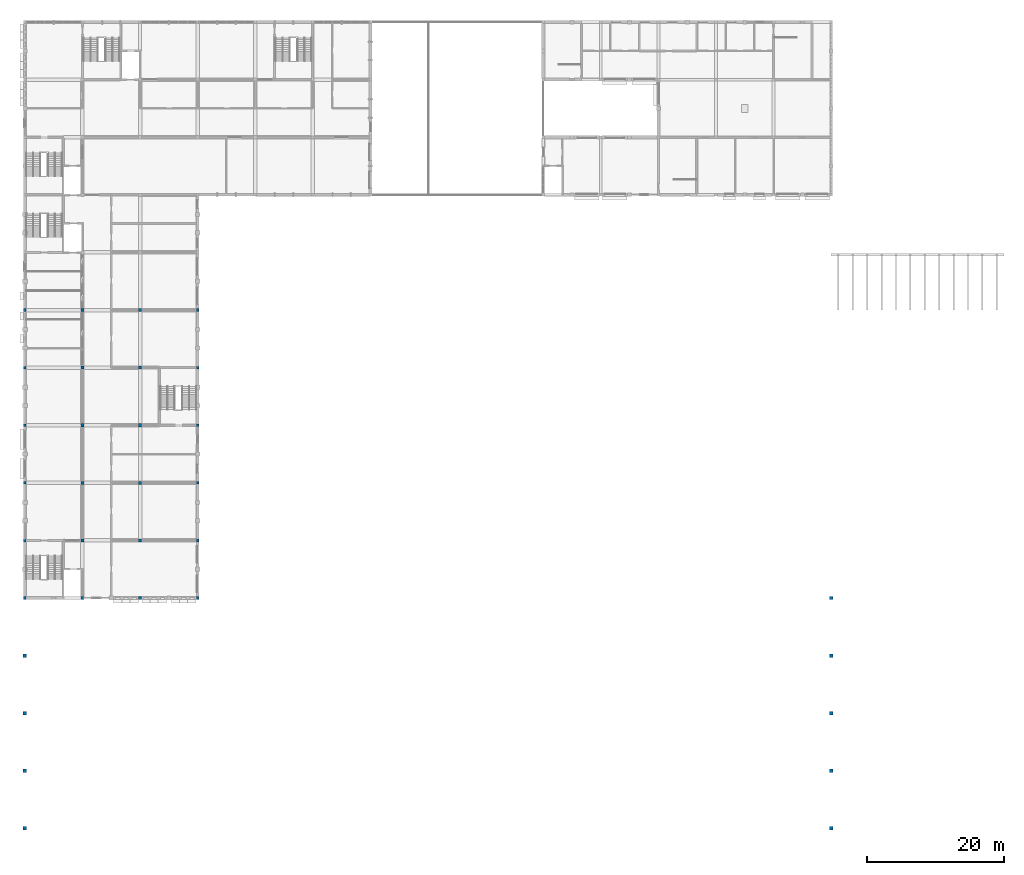
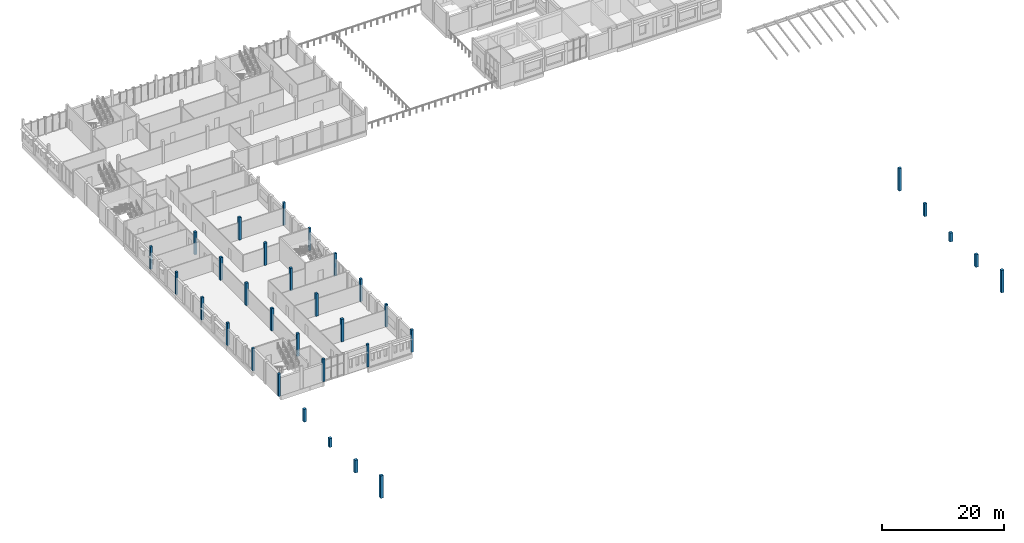
# One storey, part 1 of 30: 33 columns.
"""IFC4 building model written with IfcOpenShell, lengths in metres."""

from ifc_helpers import new_model, si_unit, direction, frame, origin, origin_2d, place, context, subcontext, project, spatial, rectangle, extrude, material, material_profile, profile_set, type_object, element, save


model = new_model("IFC4")

# Units and contexts
model_context = context("Model", 3, precision=1e-05, world=origin(), true_north=direction((0.0, 1.0)))
body_context = subcontext(model_context, "Body", "Model", "MODEL_VIEW")
ifc_project = project(units=[si_unit("LENGTHUNIT", "METRE"), si_unit("AREAUNIT", "SQUARE_METRE"), si_unit("VOLUMEUNIT", "CUBIC_METRE"), si_unit("PLANEANGLEUNIT", "RADIAN"), si_unit("MASSUNIT", "GRAM", prefix="KILO")], contexts=[model_context])

# Site, building, storey
site_placement = place(None, origin())
site = spatial("IfcSite", under=ifc_project, at=site_placement, CompositionType="ELEMENT")
building_placement = place(site_placement, origin())
building = spatial("IfcBuilding", under=site, at=building_placement, Name="Fescue Hill Polytechnic", CompositionType="ELEMENT")
storey_placement = place(building_placement, frame((0.0, 0.0, 22.5)))
storey = spatial("IfcBuildingStorey", under=building, at=storey_placement, Name="L05", CompositionType="ELEMENT", Elevation=22.5)

# Columns
ifc_material = material(Name="Concrete 40 MPa", Category="concrete")
ifc_material_profile_1 = material_profile(ifc_material, rectangle(XDim=0.39990234375, YDim=0.39990234375, at=origin_2d()), Name="RC 400x400")
ifc_profile_set_1 = profile_set([ifc_material_profile_1], Name="Concrete 40 MPa")
column_type_1 = type_object("IfcColumnType", Name="Column RC 400x400", PredefinedType="COLUMN", material=ifc_profile_set_1)
for number, where, z_axis, x_axis, name in (
    (1, (0.0, 50.39990234375, 0.0), (0.0, 0.0, 1.0), (1.0, 0.0, 0.0), "COL-L05-V4-001"),
    (2, (0.0, 58.800048828125, 0.0), (0.0, 0.0, 1.0), (1.0, 0.0, 0.0), "COL-L05-V4-002"),
    (3, (0.0, 67.199951171875, 0.0), (0.0, 0.0, 1.0), (1.0, 0.0, 0.0), "COL-L05-V4-003"),
    (4, (0.0, 75.60009765625, 0.0), (0.0, 0.0, 1.0), (1.0, 0.0, 0.0), "COL-L05-V4-004"),
    (5, (0.0, 84.0, 0.0), (0.0, 0.0, 1.0), (1.0, 0.0, 0.0), "COL-L05-V4-005"),
    (6, (0.0, 92.39990234375, 0.0), (0.0, 0.0, 1.0), (1.0, 0.0, 0.0), "COL-L05-V4-006"),
    (7, (8.39990234375, 50.39990234375, 0.0), (0.0, 0.0, 1.0), (1.0, 0.0, 0.0), "COL-L05-V4-009"),
    (8, (16.800048828125, 50.39990234375, 0.0), (0.0, 0.0, 1.0), (1.0, 0.0, 0.0), "COL-L05-V4-017"),
    (9, (25.199951171875, 50.39990234375, 0.0), (0.0, 0.0, 1.0), (1.0, 0.0, 0.0), "COL-L05-V4-025"),
    (10, (25.199951171875, 58.800048828125, 0.0), (0.0, 0.0, 1.0), (1.0, 0.0, 0.0), "COL-L05-V4-026"),
    (11, (25.199951171875, 67.199951171875, 0.0), (0.0, 0.0, 1.0), (1.0, 0.0, 0.0), "COL-L05-V4-027"),
    (12, (25.199951171875, 75.60009765625, 0.0), (0.0, 0.0, 1.0), (1.0, 0.0, 0.0), "COL-L05-V4-028"),
    (13, (25.199951171875, 84.0, 0.0), (0.0, 0.0, 1.0), (1.0, 0.0, 0.0), "COL-L05-V4-029"),
    (14, (25.199951171875, 92.39990234375, 0.0), (0.0, 0.0, 1.0), (1.0, 0.0, 0.0), "COL-L05-V4-030"),
):
    element("IfcColumn", number, at=place(storey_placement, frame(where, z_axis=z_axis, x_axis=x_axis)), inside=storey, type_object=column_type_1, Name=name, PredefinedType="COLUMN", context=body_context, shape_type="SweptSolid", body=[
        extrude(rectangle(XDim=0.39990234375, YDim=0.39990234375, at=origin_2d()), origin(), (0.0, 0.0, 1.0), 4.5),
    ])
ifc_material_profile_2 = material_profile(ifc_material, rectangle(XDim=0.449951171875, YDim=0.449951171875, at=origin_2d()), Name="RC 450x450")
ifc_profile_set_2 = profile_set([ifc_material_profile_2], Name="Concrete 40 MPa")
column_type_2 = type_object("IfcColumnType", Name="Column RC 450x450", PredefinedType="COLUMN", material=ifc_profile_set_2)
for number, where, z_axis, x_axis, name in (
    (15, (8.39990234375, 58.800048828125, 0.0), (0.0, 0.0, 1.0), (1.0, 0.0, 0.0), "COL-L05-V4-010"),
    (16, (8.39990234375, 67.199951171875, 0.0), (0.0, 0.0, 1.0), (1.0, 0.0, 0.0), "COL-L05-V4-011"),
    (17, (8.39990234375, 75.60009765625, 0.0), (0.0, 0.0, 1.0), (1.0, 0.0, 0.0), "COL-L05-V4-012"),
    (18, (8.39990234375, 84.0, 0.0), (0.0, 0.0, 1.0), (1.0, 0.0, 0.0), "COL-L05-V4-013"),
    (19, (8.39990234375, 92.39990234375, 0.0), (0.0, 0.0, 1.0), (1.0, 0.0, 0.0), "COL-L05-V4-014"),
    (20, (16.800048828125, 58.800048828125, 0.0), (0.0, 0.0, 1.0), (1.0, 0.0, 0.0), "COL-L05-V4-018"),
    (21, (16.800048828125, 67.199951171875, 0.0), (0.0, 0.0, 1.0), (1.0, 0.0, 0.0), "COL-L05-V4-019"),
    (22, (16.800048828125, 75.60009765625, 0.0), (0.0, 0.0, 1.0), (1.0, 0.0, 0.0), "COL-L05-V4-020"),
    (23, (16.800048828125, 84.0, 0.0), (0.0, 0.0, 1.0), (1.0, 0.0, 0.0), "COL-L05-V4-021"),
    (24, (16.800048828125, 92.39990234375, 0.0), (0.0, 0.0, 1.0), (1.0, 0.0, 0.0), "COL-L05-V4-022"),
):
    element("IfcColumn", number, at=place(storey_placement, frame(where, z_axis=z_axis, x_axis=x_axis)), inside=storey, type_object=column_type_2, Name=name, PredefinedType="COLUMN", context=body_context, shape_type="SweptSolid", body=[
        extrude(rectangle(XDim=0.449951171875, YDim=0.449951171875, at=origin_2d()), origin(), (0.0, 0.0, 1.0), 4.5),
    ])
ifc_material_profile_3 = material_profile(ifc_material, rectangle(XDim=0.5, YDim=0.5, at=origin_2d()), Name="RC 500x500")
ifc_profile_set_3 = profile_set([ifc_material_profile_3], Name="Concrete 40 MPa")
column_type_3 = type_object("IfcColumnType", Name="Column RC 500x500", PredefinedType="COLUMN", material=ifc_profile_set_3)
column_1_placement = place(storey_placement, frame((0.0, 16.800048828125, 0.0), z_axis=(0.0, 0.0, 1.0), x_axis=(1.0, 0.0, 0.0)))
element("IfcColumn", 25, at=column_1_placement, inside=storey, type_object=column_type_3, Name="CP-CR1-L05-0168", PredefinedType="COLUMN", context=body_context, shape_type="SweptSolid", body=[
    extrude(rectangle(XDim=0.5, YDim=0.5, at=origin_2d()), origin(), (0.0, 0.0, 1.0), 4.5),
])
column_2_placement = place(storey_placement, frame((0.0, 25.199951171875, 0.0), z_axis=(0.0, 0.0, 1.0), x_axis=(1.0, 0.0, 0.0)))
element("IfcColumn", 26, at=column_2_placement, inside=storey, type_object=column_type_3, Name="CP-CR1-L05-0252", PredefinedType="COLUMN", context=body_context, shape_type="SweptSolid", body=[
    extrude(rectangle(XDim=0.5, YDim=0.5, at=origin_2d()), origin(), (0.0, 0.0, 1.0), 2.551513671875),
])
column_3_placement = place(storey_placement, frame((0.0, 33.60009765625, 0.0), z_axis=(0.0, 0.0, 1.0), x_axis=(1.0, 0.0, 0.0)))
element("IfcColumn", 27, at=column_3_placement, inside=storey, type_object=column_type_3, Name="CP-CR1-L05-0336", PredefinedType="COLUMN", context=body_context, shape_type="SweptSolid", body=[
    extrude(rectangle(XDim=0.5, YDim=0.5, at=origin_2d()), origin(), (0.0, 0.0, 1.0), 1.794921875),
])
column_4_placement = place(storey_placement, frame((0.0, 42.0, 0.0), z_axis=(0.0, 0.0, 1.0), x_axis=(1.0, 0.0, 0.0)))
element("IfcColumn", 28, at=column_4_placement, inside=storey, type_object=column_type_3, Name="CP-CR1-L05-0420", PredefinedType="COLUMN", context=body_context, shape_type="SweptSolid", body=[
    extrude(rectangle(XDim=0.5, YDim=0.5, at=origin_2d()), origin(), (0.0, 0.0, 1.0), 2.551513671875),
])
column_5_placement = place(storey_placement, frame((117.60009765625, 16.800048828125, 0.0), z_axis=(0.0, 0.0, 1.0), x_axis=(1.0, 0.0, 0.0)))
element("IfcColumn", 29, at=column_5_placement, inside=storey, type_object=column_type_3, Name="CP-CR2-L05-0168", PredefinedType="COLUMN", context=body_context, shape_type="SweptSolid", body=[
    extrude(rectangle(XDim=0.5, YDim=0.5, at=origin_2d()), origin(), (0.0, 0.0, 1.0), 4.5),
])
column_6_placement = place(storey_placement, frame((117.60009765625, 25.199951171875, 0.0), z_axis=(0.0, 0.0, 1.0), x_axis=(1.0, 0.0, 0.0)))
element("IfcColumn", 30, at=column_6_placement, inside=storey, type_object=column_type_3, Name="CP-CR2-L05-0252", PredefinedType="COLUMN", context=body_context, shape_type="SweptSolid", body=[
    extrude(rectangle(XDim=0.5, YDim=0.5, at=origin_2d()), origin(), (0.0, 0.0, 1.0), 2.551513671875),
])
column_7_placement = place(storey_placement, frame((117.60009765625, 33.60009765625, 0.0), z_axis=(0.0, 0.0, 1.0), x_axis=(1.0, 0.0, 0.0)))
element("IfcColumn", 31, at=column_7_placement, inside=storey, type_object=column_type_3, Name="CP-CR2-L05-0336", PredefinedType="COLUMN", context=body_context, shape_type="SweptSolid", body=[
    extrude(rectangle(XDim=0.5, YDim=0.5, at=origin_2d()), origin(), (0.0, 0.0, 1.0), 1.794921875),
])
column_8_placement = place(storey_placement, frame((117.60009765625, 42.0, 0.0), z_axis=(0.0, 0.0, 1.0), x_axis=(1.0, 0.0, 0.0)))
element("IfcColumn", 32, at=column_8_placement, inside=storey, type_object=column_type_3, Name="CP-CR2-L05-0420", PredefinedType="COLUMN", context=body_context, shape_type="SweptSolid", body=[
    extrude(rectangle(XDim=0.5, YDim=0.5, at=origin_2d()), origin(), (0.0, 0.0, 1.0), 2.551513671875),
])
column_9_placement = place(storey_placement, frame((117.60009765625, 50.39990234375, 0.0), z_axis=(0.0, 0.0, 1.0), x_axis=(1.0, 0.0, 0.0)))
element("IfcColumn", 33, at=column_9_placement, inside=storey, type_object=column_type_3, Name="CP-CR2-L05-0504", PredefinedType="COLUMN", context=body_context, shape_type="SweptSolid", body=[
    extrude(rectangle(XDim=0.5, YDim=0.5, at=origin_2d()), origin(), (0.0, 0.0, 1.0), 4.5),
])

save(model, "model.ifc")
